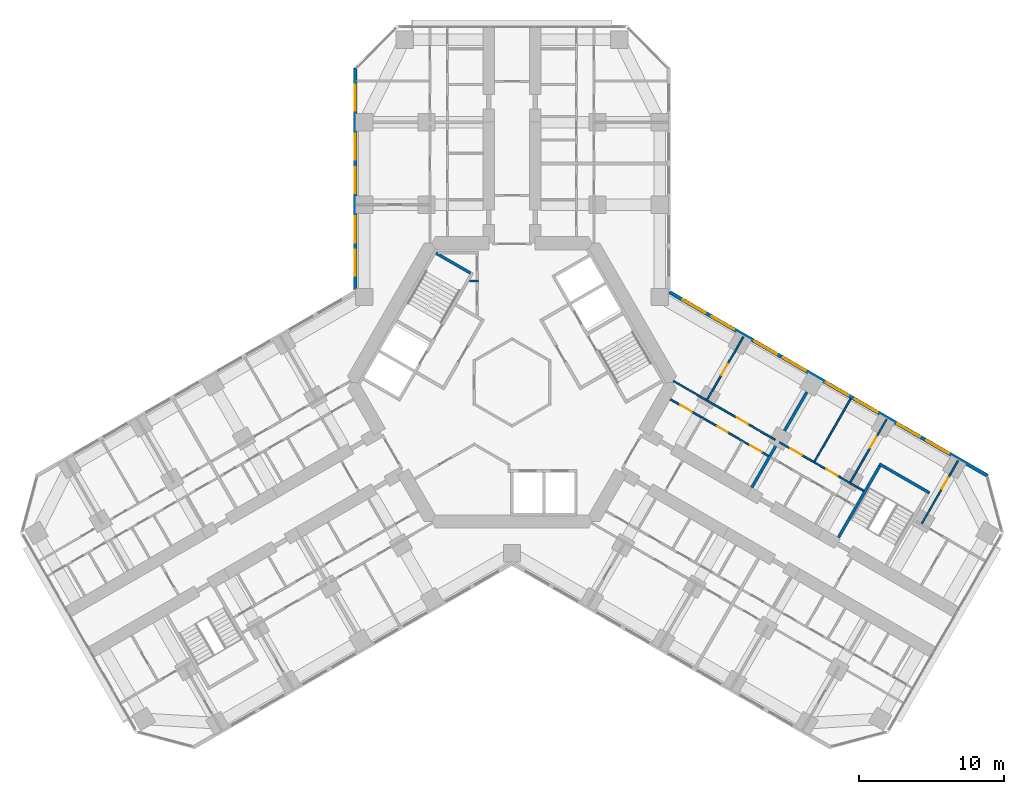
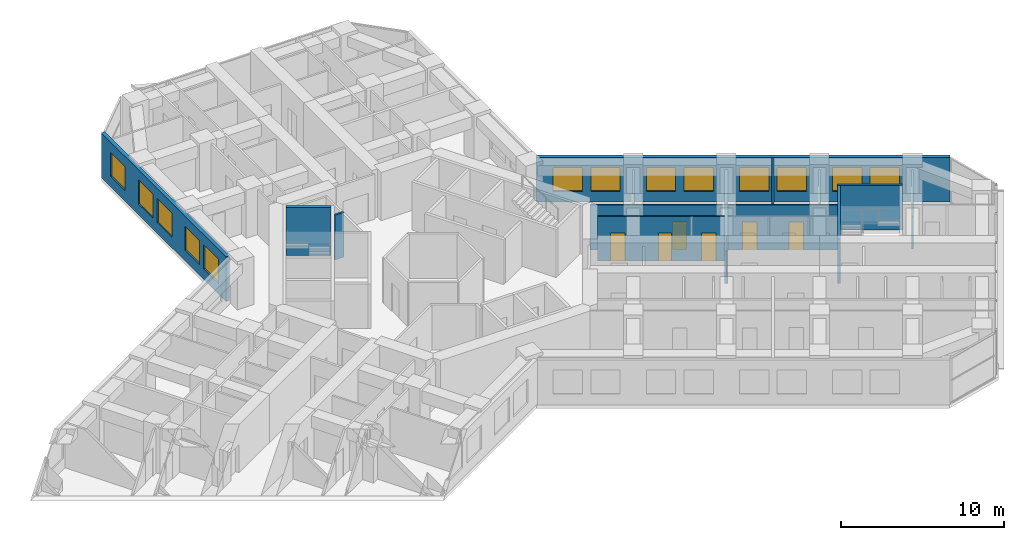
# One storey, part 16 of 20: 14 walls, 13 windows, 9 doors, 22 openings.
"""IFC4 building model written with IfcOpenShell, lengths in metres."""

from ifc_helpers import new_model, si_unit, direction, frame, frame_2d, origin, place, context, subcontext, project, spatial, rectangle, extrude, material, layer, layer_set, type_object, element, fill, save


model = new_model("IFC4")

# Units and contexts
model_context = context("Model", 3, precision=1e-05, world=origin(), true_north=direction((0.0, 1.0)))
body_context = subcontext(model_context, "Body", "Model", "MODEL_VIEW")
ifc_project = project(units=[si_unit("LENGTHUNIT", "METRE"), si_unit("AREAUNIT", "SQUARE_METRE"), si_unit("VOLUMEUNIT", "CUBIC_METRE"), si_unit("PLANEANGLEUNIT", "RADIAN"), si_unit("MASSUNIT", "GRAM", prefix="KILO")], contexts=[model_context])

# Site, building, storey
site_placement = place(None, origin())
site = spatial("IfcSite", under=ifc_project, at=site_placement, CompositionType="ELEMENT")
building_placement = place(site_placement, origin())
building = spatial("IfcBuilding", under=site, at=building_placement, Name="Kosmar Iwan School Tower", CompositionType="ELEMENT")
storey_placement = place(building_placement, frame((0.0, 0.0, 123.800048828125)))
storey = spatial("IfcBuildingStorey", under=building, at=storey_placement, Name="L30", CompositionType="ELEMENT", Elevation=123.800048828125)

# Wall
ifc_material_1 = material(Name="Gypsum board on steel studs, fire-rated", Category="steel")
ifc_layer_1 = layer(ifc_material_1, 0.14990234375)
ifc_layer_set_1 = layer_set([ifc_layer_1], Name="Core room partition 150")
wall_type_1 = type_object("IfcWallType", Name="Core room partition 150", PredefinedType="PARTITIONING", material=ifc_layer_set_1)
wall_1_placement = place(storey_placement, frame((-2.324951171875, 6.985107421875, 0.0), z_axis=(0.0, 0.0, 1.0), x_axis=(-1.0, 0.0, 0.0)))
element("IfcWall", 1, at=wall_1_placement, inside=storey, type_object=wall_type_1, Name="Core room partition L30-CW2", PredefinedType="PARTITIONING", context=body_context, shape_type="SweptSolid", body=[
    extrude(rectangle(XDim=0.623779296875, YDim=0.14990234375, at=frame_2d((0.31201171875, 0.0))), origin(), (0.0, 0.0, 1.0), 3.349853515625),
])

# Wall, openings, doors
ifc_material_2 = material(Name="Gypsum board on steel studs", Category="steel")
ifc_layer_2 = layer(ifc_material_2, 0.1201171875)
ifc_layer_set_2 = layer_set([ifc_layer_2], Name="Dwelling partition 120")
wall_type_2 = type_object("IfcWallType", Name="Dwelling partition 120", PredefinedType="PARTITIONING", material=ifc_layer_set_2)
wall_2_placement = place(storey_placement, frame((10.928466796875, -1.171142578125, 0.0), z_axis=(0.0, 0.0, 1.0), x_axis=(0.866021400173, -0.500006934395, 0.0)))
wall_2 = element("IfcWall", 2, at=wall_2_placement, inside=storey, type_object=wall_type_2, Name="Partition L30-CL1-W1", PredefinedType="PARTITIONING", context=body_context, shape_type="SweptSolid", body=[
    extrude(rectangle(XDim=7.80029296875, YDim=0.1201171875, at=frame_2d((3.900146484375, 0.0))), origin(), (0.0, 0.0, 1.0), 3.349853515625),
])
opening_1_placement = place(wall_2_placement, frame((0.800048828125, 0.0, 0.0)))
opening_1 = element("IfcOpeningElement", 3, at=opening_1_placement, cuts=wall_2, Name="Opening D2", PredefinedType="OPENING", context=body_context, shape_type="SweptSolid", body=[
    extrude(rectangle(XDim=0.89990234375, YDim=2.10009765625, at=frame_2d((0.449951171875, 1.050048828125))), frame((0.0, 0.072021484375, 0.0), z_axis=(0.0, -1.0, 0.0), x_axis=(1.0, 0.0, 0.0)), (0.0, 0.0, 1.0), 0.14404296875),
])
opening_2_placement = place(wall_2_placement, frame((3.755126953125, 0.0, 0.0)))
opening_2 = element("IfcOpeningElement", 4, at=opening_2_placement, cuts=wall_2, Name="Opening D3", PredefinedType="OPENING", context=body_context, shape_type="SweptSolid", body=[
    extrude(rectangle(XDim=0.800048828125, YDim=2.10009765625, at=frame_2d((0.39990234375, 1.050048828125))), frame((0.0, 0.072021484375, 0.0), z_axis=(0.0, -1.0, 0.0), x_axis=(1.0, 0.0, 0.0)), (0.0, 0.0, 1.0), 0.14404296875),
])
opening_3_placement = place(wall_2_placement, frame((6.380126953125, 0.0, 0.0)))
opening_3 = element("IfcOpeningElement", 5, at=opening_3_placement, cuts=wall_2, Name="Opening D2", PredefinedType="OPENING", context=body_context, shape_type="SweptSolid", body=[
    extrude(rectangle(XDim=0.89990234375, YDim=2.10009765625, at=frame_2d((0.449951171875, 1.050048828125))), frame((0.0, 0.072021484375, 0.0), z_axis=(0.0, -1.0, 0.0), x_axis=(1.0, 0.0, 0.0)), (0.0, 0.0, 1.0), 0.14404296875),
])
ifc_material_3 = material(Name="Timber door in timber frame", Category="wood")
door_type_1 = type_object("IfcDoorType", Name="Internal door 900x2100", OperationType="SINGLE_SWING_LEFT", PredefinedType="DOOR", material=ifc_material_3)
door_1_placement = place(opening_1_placement, origin())
door_1 = element("IfcDoor", 6, at=door_1_placement, inside=storey, type_object=door_type_1, Name="Entrance hall door L30-CL1-S1", OperationType="SINGLE_SWING_LEFT", OverallHeight=2.10009765625, OverallWidth=0.89990234375, PredefinedType="DOOR", context=body_context, shape_type="SweptSolid", body=[
    extrude(rectangle(XDim=0.89990234375, YDim=2.10009765625, at=frame_2d((0.449951171875, 1.050048828125))), frame((0.0, 0.02490234375, 0.0), z_axis=(0.0, -1.0, 0.0), x_axis=(1.0, 0.0, 0.0)), (0.0, 0.0, 1.0), 0.050048828125),
])
fill(opening_1, door_1)
door_2_placement = place(opening_3_placement, origin())
door_2 = element("IfcDoor", 7, at=door_2_placement, inside=storey, type_object=door_type_1, Name="Pantry door L30-CL1-S3", OperationType="SINGLE_SWING_RIGHT", OverallHeight=2.10009765625, OverallWidth=0.89990234375, PredefinedType="DOOR", context=body_context, shape_type="SweptSolid", body=[
    extrude(rectangle(XDim=0.89990234375, YDim=2.10009765625, at=frame_2d((0.449951171875, 1.050048828125))), frame((0.0, 0.02490234375, 0.0), z_axis=(0.0, -1.0, 0.0), x_axis=(1.0, 0.0, 0.0)), (0.0, 0.0, 1.0), 0.050048828125),
])
fill(opening_3, door_2)
ifc_material_4 = material(Name="Timber door in timber frame", Category="wood")
door_type_2 = type_object("IfcDoorType", Name="Sanitary room door 800x2100", OperationType="SINGLE_SWING_LEFT", PredefinedType="DOOR", material=ifc_material_4)
door_3_placement = place(opening_2_placement, origin())
door_3 = element("IfcDoor", 8, at=door_3_placement, inside=storey, type_object=door_type_2, Name="Bathroom door L30-CL1-S2", OperationType="SINGLE_SWING_RIGHT", OverallHeight=2.10009765625, OverallWidth=0.800048828125, PredefinedType="DOOR", context=body_context, shape_type="SweptSolid", body=[
    extrude(rectangle(XDim=0.800048828125, YDim=2.10009765625, at=frame_2d((0.39990234375, 1.050048828125))), frame((0.0, 0.02490234375, 0.0), z_axis=(0.0, -1.0, 0.0), x_axis=(1.0, 0.0, 0.0)), (0.0, 0.0, 1.0), 0.050048828125),
])
fill(opening_2, door_3)

# Wall, opening, door
wall_3_placement = place(storey_placement, frame((11.138916015625, 0.093017578125, 0.0), z_axis=(0.0, 0.0, 1.0), x_axis=(0.866017937352, -0.500012932018, 0.0)))
wall_3 = element("IfcWall", 9, at=wall_3_placement, inside=storey, type_object=wall_type_2, Name="Partition L30-CL1-W2", PredefinedType="PARTITIONING", context=body_context, shape_type="SweptSolid", body=[
    extrude(rectangle(XDim=8.099853515625, YDim=0.1201171875, at=frame_2d((4.0498046875, 0.0))), origin(), (0.0, 0.0, 1.0), 3.349853515625),
])
opening_4_placement = place(wall_3_placement, frame((5.050048828125, 0.0, 0.0)))
opening_4 = element("IfcOpeningElement", 10, at=opening_4_placement, cuts=wall_3, Name="Opening D2", PredefinedType="OPENING", context=body_context, shape_type="SweptSolid", body=[
    extrude(rectangle(XDim=0.89990234375, YDim=2.10009765625, at=frame_2d((0.449951171875, 1.050048828125))), frame((0.0, 0.072021484375, 0.0), z_axis=(0.0, -1.0, 0.0), x_axis=(1.0, 0.0, 0.0)), (0.0, 0.0, 1.0), 0.14404296875),
])
door_4_placement = place(opening_4_placement, origin())
door_4 = element("IfcDoor", 11, at=door_4_placement, inside=storey, type_object=door_type_1, Name="Studio living room door L30-CL1-F2", OperationType="SINGLE_SWING_RIGHT", OverallHeight=2.10009765625, OverallWidth=0.89990234375, PredefinedType="DOOR", context=body_context, shape_type="SweptSolid", body=[
    extrude(rectangle(XDim=0.89990234375, YDim=2.10009765625, at=frame_2d((0.449951171875, 1.050048828125))), frame((0.0, 0.02490234375, 0.0), z_axis=(0.0, -1.0, 0.0), x_axis=(1.0, 0.0, 0.0)), (0.0, 0.0, 1.0), 0.050048828125),
])
fill(opening_4, door_4)

wall_4_placement = place(storey_placement, frame((13.4638671875, -1.179931640625, 0.0), z_axis=(0.0, 0.0, 1.0), x_axis=(0.499996339024, 0.86602751744, 0.0)))
wall_4 = element("IfcWall", 12, at=wall_4_placement, inside=storey, type_object=wall_type_2, Name="Partition L30-CL1-X1", PredefinedType="PARTITIONING", context=body_context, shape_type="SweptSolid", body=[
    extrude(rectangle(XDim=4.98974609375, YDim=0.1201171875, at=frame_2d((2.494873046875, 0.0))), origin(), (0.0, 0.0, 1.0), 2.449951171875),
])
opening_5_placement = place(wall_4_placement, frame((1.93994140625, 0.0, 0.0)))
opening_5 = element("IfcOpeningElement", 13, at=opening_5_placement, cuts=wall_4, Name="Opening D2", PredefinedType="OPENING", context=body_context, shape_type="SweptSolid", body=[
    extrude(rectangle(XDim=0.89990234375, YDim=2.10009765625, at=frame_2d((0.449951171875, 1.050048828125))), frame((0.0, 0.072021484375, 0.0), z_axis=(0.0, -1.0, 0.0), x_axis=(1.0, 0.0, 0.0)), (0.0, 0.0, 1.0), 0.14404296875),
])
door_5_placement = place(opening_5_placement, origin())
door_5 = element("IfcDoor", 14, at=door_5_placement, inside=storey, type_object=door_type_1, Name="Kitchen and dining room door L30-CL1-F1", OperationType="SINGLE_SWING_LEFT", OverallHeight=2.10009765625, OverallWidth=0.89990234375, PredefinedType="DOOR", context=body_context, shape_type="SweptSolid", body=[
    extrude(rectangle(XDim=0.89990234375, YDim=2.10009765625, at=frame_2d((0.449951171875, 1.050048828125))), frame((0.0, 0.02490234375, 0.0), z_axis=(0.0, -1.0, 0.0), x_axis=(1.0, 0.0, 0.0)), (0.0, 0.0, 1.0), 0.050048828125),
])
fill(opening_5, door_5)

# Wall, openings, doors
wall_5_placement = place(storey_placement, frame((18.456787109375, -4.1318359375, 0.0), z_axis=(0.0, 0.0, 1.0), x_axis=(0.866014461049, -0.500018952895, 0.0)))
wall_5 = element("IfcWall", 15, at=wall_5_placement, inside=storey, type_object=wall_type_2, Name="Partition L30-CL2-W2", PredefinedType="PARTITIONING", context=body_context, shape_type="SweptSolid", body=[
    extrude(rectangle(XDim=6.699951171875, YDim=0.1201171875, at=frame_2d((3.35009765625, 0.0))), origin(), (0.0, 0.0, 1.0), 3.349853515625),
])
opening_6_placement = place(wall_5_placement, frame((0.875, 0.0, 0.0)))
opening_6 = element("IfcOpeningElement", 16, at=opening_6_placement, cuts=wall_5, Name="Opening D2", PredefinedType="OPENING", context=body_context, shape_type="SweptSolid", body=[
    extrude(rectangle(XDim=0.89990234375, YDim=2.10009765625, at=frame_2d((0.449951171875, 1.050048828125))), frame((0.0, 0.072021484375, 0.0), z_axis=(0.0, -1.0, 0.0), x_axis=(1.0, 0.0, 0.0)), (0.0, 0.0, 1.0), 0.14404296875),
])
opening_7_placement = place(wall_5_placement, frame((3.72509765625, 0.0, 0.0)))
opening_7 = element("IfcOpeningElement", 17, at=opening_7_placement, cuts=wall_5, Name="Opening D2", PredefinedType="OPENING", context=body_context, shape_type="SweptSolid", body=[
    extrude(rectangle(XDim=0.89990234375, YDim=2.10009765625, at=frame_2d((0.449951171875, 1.050048828125))), frame((0.0, 0.072021484375, 0.0), z_axis=(0.0, -1.0, 0.0), x_axis=(1.0, 0.0, 0.0)), (0.0, 0.0, 1.0), 0.14404296875),
])
door_6_placement = place(opening_6_placement, origin())
door_6 = element("IfcDoor", 18, at=door_6_placement, inside=storey, type_object=door_type_1, Name="Family room and kitchen door L30-CL2-F1", OperationType="SINGLE_SWING_LEFT", OverallHeight=2.10009765625, OverallWidth=0.89990234375, PredefinedType="DOOR", context=body_context, shape_type="SweptSolid", body=[
    extrude(rectangle(XDim=0.89990234375, YDim=2.10009765625, at=frame_2d((0.449951171875, 1.050048828125))), frame((0.0, 0.02490234375, 0.0), z_axis=(0.0, -1.0, 0.0), x_axis=(1.0, 0.0, 0.0)), (0.0, 0.0, 1.0), 0.050048828125),
])
fill(opening_6, door_6)
door_7_placement = place(opening_7_placement, origin())
door_7 = element("IfcDoor", 19, at=door_7_placement, inside=storey, type_object=door_type_1, Name="Bedroom 1 door L30-CL2-F2", OperationType="SINGLE_SWING_RIGHT", OverallHeight=2.10009765625, OverallWidth=0.89990234375, PredefinedType="DOOR", context=body_context, shape_type="SweptSolid", body=[
    extrude(rectangle(XDim=0.89990234375, YDim=2.10009765625, at=frame_2d((0.449951171875, 1.050048828125))), frame((0.0, 0.02490234375, 0.0), z_axis=(0.0, -1.0, 0.0), x_axis=(1.0, 0.0, 0.0)), (0.0, 0.0, 1.0), 0.050048828125),
])
fill(opening_7, door_7)

# Wall
wall_6_placement = place(storey_placement, frame((20.868408203125, -5.455078125, 0.0), z_axis=(0.0, 0.0, 1.0), x_axis=(0.499975153383, 0.86603974851, 0.0)))
element("IfcWall", 20, at=wall_6_placement, inside=storey, type_object=wall_type_2, Name="Partition L30-CL2-X1", PredefinedType="PARTITIONING", context=body_context, shape_type="SweptSolid", body=[
    extrude(rectangle(XDim=4.989990234375, YDim=0.1201171875, at=frame_2d((2.4951171875, 0.0))), origin(), (0.0, 0.0, 1.0), 3.349853515625),
])

# Wall, opening, door
wall_7_placement = place(storey_placement, frame((23.33642578125, -6.8798828125, 0.0), z_axis=(0.0, 0.0, 1.0), x_axis=(0.500033033937, 0.866006330792, 0.0)))
wall_7 = element("IfcWall", 21, at=wall_7_placement, inside=storey, type_object=wall_type_2, Name="Partition L30-CL2-TB", PredefinedType="PARTITIONING", context=body_context, shape_type="SweptSolid", body=[
    extrude(rectangle(XDim=4.989990234375, YDim=0.1201171875, at=frame_2d((2.4951171875, 0.0))), origin(), (0.0, 0.0, 1.0), 2.449951171875),
])
opening_8_placement = place(wall_7_placement, frame((2.739990234375, 0.0, 0.0)))
opening_8 = element("IfcOpeningElement", 22, at=opening_8_placement, cuts=wall_7, Name="Opening D2", PredefinedType="OPENING", context=body_context, shape_type="SweptSolid", body=[
    extrude(rectangle(XDim=0.89990234375, YDim=2.10009765625, at=frame_2d((0.449951171875, 1.050048828125))), frame((0.0, 0.072021484375, 0.0), z_axis=(0.0, -1.0, 0.0), x_axis=(1.0, 0.0, 0.0)), (0.0, 0.0, 1.0), 0.14404296875),
])
door_8_placement = place(opening_8_placement, origin())
door_8 = element("IfcDoor", 23, at=door_8_placement, inside=storey, type_object=door_type_1, Name="Study door L30-CL2-F2", OperationType="SINGLE_SWING_RIGHT", OverallHeight=2.10009765625, OverallWidth=0.89990234375, PredefinedType="DOOR", context=body_context, shape_type="SweptSolid", body=[
    extrude(rectangle(XDim=0.89990234375, YDim=2.10009765625, at=frame_2d((0.449951171875, 1.050048828125))), frame((0.0, 0.02490234375, 0.0), z_axis=(0.0, -1.0, 0.0), x_axis=(1.0, 0.0, 0.0)), (0.0, 0.0, 1.0), 0.050048828125),
])
fill(opening_8, door_8)

wall_8_placement = place(storey_placement, frame((28.27294921875, -9.72998046875, 0.0), z_axis=(0.0, 0.0, 1.0), x_axis=(0.499975153383, 0.86603974851, 0.0)))
wall_8 = element("IfcWall", 24, at=wall_8_placement, inside=storey, type_object=wall_type_2, Name="Partition L30-CL2-TX", PredefinedType="PARTITIONING", context=body_context, shape_type="SweptSolid", body=[
    extrude(rectangle(XDim=4.989990234375, YDim=0.1201171875, at=frame_2d((2.4951171875, 0.0))), origin(), (0.0, 0.0, 1.0), 2.449951171875),
])
opening_9_placement = place(wall_8_placement, frame((2.739990234375, 0.0, 0.0)))
opening_9 = element("IfcOpeningElement", 25, at=opening_9_placement, cuts=wall_8, Name="Opening D2", PredefinedType="OPENING", context=body_context, shape_type="SweptSolid", body=[
    extrude(rectangle(XDim=0.89990234375, YDim=2.10009765625, at=frame_2d((0.449951171875, 1.050048828125))), frame((0.0, 0.072021484375, 0.0), z_axis=(0.0, -1.0, 0.0), x_axis=(1.0, 0.0, 0.0)), (0.0, 0.0, 1.0), 0.14404296875),
])
door_9_placement = place(opening_9_placement, origin())
door_9 = element("IfcDoor", 26, at=door_9_placement, inside=storey, type_object=door_type_1, Name="Study door L30-CL2-T1", OperationType="SINGLE_SWING_RIGHT", OverallHeight=2.10009765625, OverallWidth=0.89990234375, PredefinedType="DOOR", context=body_context, shape_type="SweptSolid", body=[
    extrude(rectangle(XDim=0.89990234375, YDim=2.10009765625, at=frame_2d((0.449951171875, 1.050048828125))), frame((0.0, 0.02490234375, 0.0), z_axis=(0.0, -1.0, 0.0), x_axis=(1.0, 0.0, 0.0)), (0.0, 0.0, 1.0), 0.050048828125),
])
fill(opening_9, door_9)

# Walls
ifc_material_5 = material(Name="Concrete C35/45", Category="concrete")
ifc_layer_3 = layer(ifc_material_5, 0.199951171875)
ifc_layer_set_3 = layer_set([ifc_layer_3], Name="Escape stair wall 200")
wall_type_3 = type_object("IfcWallType", Name="Escape stair wall 200", PredefinedType="SHEAR", material=ifc_layer_set_3)
wall_9_placement = place(storey_placement, frame((22.520751953125, -10.69287109375, 0.0), z_axis=(0.0, 0.0, 1.0), x_axis=(0.500006628179, 0.86602157697, 0.0)))
element("IfcWall", 27, at=wall_9_placement, inside=storey, type_object=wall_type_3, Name="Stair WS3 wall", PredefinedType="SHEAR", context=body_context, shape_type="SweptSolid", body=[
    extrude(rectangle(XDim=5.89990234375, YDim=0.199951171875, at=frame_2d((2.949951171875, 0.0))), origin(), (0.0, 0.0, 1.0), 3.329833984375),
])
wall_10_placement = place(storey_placement, frame((25.334228515625, -5.6201171875, 0.0), z_axis=(0.0, 0.0, 1.0), x_axis=(0.866026010844, -0.49999894854, 0.0)))
element("IfcWall", 28, at=wall_10_placement, inside=storey, type_object=wall_type_3, Name="Stair WS3 wall", PredefinedType="SHEAR", context=body_context, shape_type="SweptSolid", body=[
    extrude(rectangle(XDim=4.0, YDim=0.199951171875, at=frame_2d((2.0, 0.0))), origin(), (0.0, 0.0, 1.0), 3.329833984375),
])

# Wall, openings, windows
ifc_material_6 = material(Name="Black aluminium rainscreen on insulated framing", Category="aluminium")
ifc_layer_4 = layer(ifc_material_6, 0.25)
ifc_layer_set_4 = layer_set([ifc_layer_4], Name="External wall rainscreen 250")
wall_type_4 = type_object("IfcWallType", Name="External wall rainscreen 250", PredefinedType="SOLIDWALL", material=ifc_layer_set_4)
wall_11_placement = place(storey_placement, frame((10.862548828125, 6.228271484375, 0.0), z_axis=(0.0, 0.0, 1.0), x_axis=(0.866024996846, -0.500000704837, 0.0)))
wall_11 = element("IfcWall", 29, at=wall_11_placement, inside=storey, type_object=wall_type_4, Name="External wall CL L30", PredefinedType="SOLIDWALL", context=body_context, shape_type="SweptSolid", body=[
    extrude(rectangle(XDim=25.34228515625, YDim=0.25, at=frame_2d((12.671142578125, 0.0))), origin(), (0.0, 0.0, 1.0), 3.349853515625),
])
opening_10_placement = place(wall_11_placement, frame((1.056884765625, 0.0, 0.800048828125)))
opening_10 = element("IfcOpeningElement", 30, at=opening_10_placement, cuts=wall_11, Name="Opening W1", PredefinedType="OPENING", context=body_context, shape_type="SweptSolid", body=[
    extrude(rectangle(XDim=1.800048828125, YDim=1.800048828125, at=frame_2d((0.89990234375, 0.89990234375))), frame((0.0, 0.136962890625, 0.0), z_axis=(0.0, -1.0, 0.0), x_axis=(1.0, 0.0, 0.0)), (0.0, 0.0, 1.0), 0.27392578125),
])
opening_11_placement = place(wall_11_placement, frame((3.35693359375, 0.0, 0.800048828125)))
opening_11 = element("IfcOpeningElement", 31, at=opening_11_placement, cuts=wall_11, Name="Opening W1", PredefinedType="OPENING", context=body_context, shape_type="SweptSolid", body=[
    extrude(rectangle(XDim=1.800048828125, YDim=1.800048828125, at=frame_2d((0.89990234375, 0.89990234375))), frame((0.0, 0.136962890625, 0.0), z_axis=(0.0, -1.0, 0.0), x_axis=(1.0, 0.0, 0.0)), (0.0, 0.0, 1.0), 0.27392578125),
])
opening_12_placement = place(wall_11_placement, frame((6.7568359375, 0.0, 0.800048828125)))
opening_12 = element("IfcOpeningElement", 32, at=opening_12_placement, cuts=wall_11, Name="Opening W1", PredefinedType="OPENING", context=body_context, shape_type="SweptSolid", body=[
    extrude(rectangle(XDim=1.800048828125, YDim=1.800048828125, at=frame_2d((0.89990234375, 0.89990234375))), frame((0.0, 0.136962890625, 0.0), z_axis=(0.0, -1.0, 0.0), x_axis=(1.0, 0.0, 0.0)), (0.0, 0.0, 1.0), 0.27392578125),
])
opening_13_placement = place(wall_11_placement, frame((9.056884765625, 0.0, 0.800048828125)))
opening_13 = element("IfcOpeningElement", 33, at=opening_13_placement, cuts=wall_11, Name="Opening W1", PredefinedType="OPENING", context=body_context, shape_type="SweptSolid", body=[
    extrude(rectangle(XDim=1.800048828125, YDim=1.800048828125, at=frame_2d((0.89990234375, 0.89990234375))), frame((0.0, 0.136962890625, 0.0), z_axis=(0.0, -1.0, 0.0), x_axis=(1.0, 0.0, 0.0)), (0.0, 0.0, 1.0), 0.27392578125),
])
opening_14_placement = place(wall_11_placement, frame((12.456787109375, 0.0, 0.800048828125)))
opening_14 = element("IfcOpeningElement", 34, at=opening_14_placement, cuts=wall_11, Name="Opening W1", PredefinedType="OPENING", context=body_context, shape_type="SweptSolid", body=[
    extrude(rectangle(XDim=1.800048828125, YDim=1.800048828125, at=frame_2d((0.89990234375, 0.89990234375))), frame((0.0, 0.136962890625, 0.0), z_axis=(0.0, -1.0, 0.0), x_axis=(1.0, 0.0, 0.0)), (0.0, 0.0, 1.0), 0.27392578125),
])
opening_15_placement = place(wall_11_placement, frame((14.7568359375, 0.0, 0.800048828125)))
opening_15 = element("IfcOpeningElement", 35, at=opening_15_placement, cuts=wall_11, Name="Opening W1", PredefinedType="OPENING", context=body_context, shape_type="SweptSolid", body=[
    extrude(rectangle(XDim=1.800048828125, YDim=1.800048828125, at=frame_2d((0.89990234375, 0.89990234375))), frame((0.0, 0.136962890625, 0.0), z_axis=(0.0, -1.0, 0.0), x_axis=(1.0, 0.0, 0.0)), (0.0, 0.0, 1.0), 0.27392578125),
])
opening_16_placement = place(wall_11_placement, frame((18.156982421875, 0.0, 0.800048828125)))
opening_16 = element("IfcOpeningElement", 36, at=opening_16_placement, cuts=wall_11, Name="Opening W1", PredefinedType="OPENING", context=body_context, shape_type="SweptSolid", body=[
    extrude(rectangle(XDim=1.800048828125, YDim=1.800048828125, at=frame_2d((0.89990234375, 0.89990234375))), frame((0.0, 0.136962890625, 0.0), z_axis=(0.0, -1.0, 0.0), x_axis=(1.0, 0.0, 0.0)), (0.0, 0.0, 1.0), 0.27392578125),
])
opening_17_placement = place(wall_11_placement, frame((20.456787109375, 0.0, 0.800048828125)))
opening_17 = element("IfcOpeningElement", 37, at=opening_17_placement, cuts=wall_11, Name="Opening W1", PredefinedType="OPENING", context=body_context, shape_type="SweptSolid", body=[
    extrude(rectangle(XDim=1.800048828125, YDim=1.800048828125, at=frame_2d((0.89990234375, 0.89990234375))), frame((0.0, 0.136962890625, 0.0), z_axis=(0.0, -1.0, 0.0), x_axis=(1.0, 0.0, 0.0)), (0.0, 0.0, 1.0), 0.27392578125),
])
ifc_material_7 = material(Name="Black aluminium frame with dark triple glazing", Category="aluminium")
window_type = type_object("IfcWindowType", Name="Window 1800x1800", PartitioningType="SINGLE_PANEL", PredefinedType="WINDOW", material=ifc_material_7)
window_1_placement = place(opening_10_placement, origin())
window_1 = element("IfcWindow", 38, at=window_1_placement, inside=storey, type_object=window_type, Name="Window CL L30 -1", OverallHeight=1.800048828125, OverallWidth=1.800048828125, PartitioningType="SINGLE_PANEL", PredefinedType="WINDOW", context=body_context, shape_type="SweptSolid", body=[
    extrude(rectangle(XDim=1.800048828125, YDim=1.800048828125, at=frame_2d((0.89990234375, 0.89990234375))), frame((0.0, 0.030029296875, 0.0), z_axis=(0.0, -1.0, 0.0), x_axis=(1.0, 0.0, 0.0)), (0.0, 0.0, 1.0), 0.06005859375),
])
fill(opening_10, window_1)
window_2_placement = place(opening_11_placement, origin())
window_2 = element("IfcWindow", 39, at=window_2_placement, inside=storey, type_object=window_type, Name="Window CL L30 0", OverallHeight=1.800048828125, OverallWidth=1.800048828125, PartitioningType="SINGLE_PANEL", PredefinedType="WINDOW", context=body_context, shape_type="SweptSolid", body=[
    extrude(rectangle(XDim=1.800048828125, YDim=1.800048828125, at=frame_2d((0.89990234375, 0.89990234375))), frame((0.0, 0.030029296875, 0.0), z_axis=(0.0, -1.0, 0.0), x_axis=(1.0, 0.0, 0.0)), (0.0, 0.0, 1.0), 0.06005859375),
])
fill(opening_11, window_2)
window_3_placement = place(opening_12_placement, origin())
window_3 = element("IfcWindow", 40, at=window_3_placement, inside=storey, type_object=window_type, Name="Window CL L30 1", OverallHeight=1.800048828125, OverallWidth=1.800048828125, PartitioningType="SINGLE_PANEL", PredefinedType="WINDOW", context=body_context, shape_type="SweptSolid", body=[
    extrude(rectangle(XDim=1.800048828125, YDim=1.800048828125, at=frame_2d((0.89990234375, 0.89990234375))), frame((0.0, 0.030029296875, 0.0), z_axis=(0.0, -1.0, 0.0), x_axis=(1.0, 0.0, 0.0)), (0.0, 0.0, 1.0), 0.06005859375),
])
fill(opening_12, window_3)
window_4_placement = place(opening_13_placement, origin())
window_4 = element("IfcWindow", 41, at=window_4_placement, inside=storey, type_object=window_type, Name="Window CL L30 2", OverallHeight=1.800048828125, OverallWidth=1.800048828125, PartitioningType="SINGLE_PANEL", PredefinedType="WINDOW", context=body_context, shape_type="SweptSolid", body=[
    extrude(rectangle(XDim=1.800048828125, YDim=1.800048828125, at=frame_2d((0.89990234375, 0.89990234375))), frame((0.0, 0.030029296875, 0.0), z_axis=(0.0, -1.0, 0.0), x_axis=(1.0, 0.0, 0.0)), (0.0, 0.0, 1.0), 0.06005859375),
])
fill(opening_13, window_4)
window_5_placement = place(opening_14_placement, origin())
window_5 = element("IfcWindow", 42, at=window_5_placement, inside=storey, type_object=window_type, Name="Window CL L30 3", OverallHeight=1.800048828125, OverallWidth=1.800048828125, PartitioningType="SINGLE_PANEL", PredefinedType="WINDOW", context=body_context, shape_type="SweptSolid", body=[
    extrude(rectangle(XDim=1.800048828125, YDim=1.800048828125, at=frame_2d((0.89990234375, 0.89990234375))), frame((0.0, 0.030029296875, 0.0), z_axis=(0.0, -1.0, 0.0), x_axis=(1.0, 0.0, 0.0)), (0.0, 0.0, 1.0), 0.06005859375),
])
fill(opening_14, window_5)
window_6_placement = place(opening_15_placement, origin())
window_6 = element("IfcWindow", 43, at=window_6_placement, inside=storey, type_object=window_type, Name="Window CL L30 4", OverallHeight=1.800048828125, OverallWidth=1.800048828125, PartitioningType="SINGLE_PANEL", PredefinedType="WINDOW", context=body_context, shape_type="SweptSolid", body=[
    extrude(rectangle(XDim=1.800048828125, YDim=1.800048828125, at=frame_2d((0.89990234375, 0.89990234375))), frame((0.0, 0.030029296875, 0.0), z_axis=(0.0, -1.0, 0.0), x_axis=(1.0, 0.0, 0.0)), (0.0, 0.0, 1.0), 0.06005859375),
])
fill(opening_15, window_6)
window_7_placement = place(opening_16_placement, origin())
window_7 = element("IfcWindow", 44, at=window_7_placement, inside=storey, type_object=window_type, Name="Window CL L30 5", OverallHeight=1.800048828125, OverallWidth=1.800048828125, PartitioningType="SINGLE_PANEL", PredefinedType="WINDOW", context=body_context, shape_type="SweptSolid", body=[
    extrude(rectangle(XDim=1.800048828125, YDim=1.800048828125, at=frame_2d((0.89990234375, 0.89990234375))), frame((0.0, 0.030029296875, 0.0), z_axis=(0.0, -1.0, 0.0), x_axis=(1.0, 0.0, 0.0)), (0.0, 0.0, 1.0), 0.06005859375),
])
fill(opening_16, window_7)
window_8_placement = place(opening_17_placement, origin())
window_8 = element("IfcWindow", 45, at=window_8_placement, inside=storey, type_object=window_type, Name="Window CL L30 6", OverallHeight=1.800048828125, OverallWidth=1.800048828125, PartitioningType="SINGLE_PANEL", PredefinedType="WINDOW", context=body_context, shape_type="SweptSolid", body=[
    extrude(rectangle(XDim=1.800048828125, YDim=1.800048828125, at=frame_2d((0.89990234375, 0.89990234375))), frame((0.0, 0.030029296875, 0.0), z_axis=(0.0, -1.0, 0.0), x_axis=(1.0, 0.0, 0.0)), (0.0, 0.0, 1.0), 0.06005859375),
])
fill(opening_17, window_8)

wall_12_placement = place(storey_placement, frame((-10.824951171875, 6.408935546875, 0.0), z_axis=(0.0, 0.0, 1.0), x_axis=(0.0, 1.0, 0.0)))
wall_12 = element("IfcWall", 46, at=wall_12_placement, inside=storey, type_object=wall_type_4, Name="External wall AL L30", PredefinedType="SOLIDWALL", context=body_context, shape_type="SweptSolid", body=[
    extrude(rectangle(XDim=15.2763671875, YDim=0.25, at=frame_2d((7.63818359375, 0.0))), origin(), (0.0, 0.0, 1.0), 3.349853515625),
])
opening_18_placement = place(wall_12_placement, frame((0.94091796875, 0.0, 0.800048828125)))
opening_18 = element("IfcOpeningElement", 47, at=opening_18_placement, cuts=wall_12, Name="Opening W1", PredefinedType="OPENING", context=body_context, shape_type="SweptSolid", body=[
    extrude(rectangle(XDim=1.800048828125, YDim=1.800048828125, at=frame_2d((0.89990234375, 0.89990234375))), frame((0.0, 0.136962890625, 0.0), z_axis=(0.0, -1.0, 0.0), x_axis=(1.0, 0.0, 0.0)), (0.0, 0.0, 1.0), 0.27392578125),
])
opening_19_placement = place(wall_12_placement, frame((3.240966796875, 0.0, 0.800048828125)))
opening_19 = element("IfcOpeningElement", 48, at=opening_19_placement, cuts=wall_12, Name="Opening W1", PredefinedType="OPENING", context=body_context, shape_type="SweptSolid", body=[
    extrude(rectangle(XDim=1.800048828125, YDim=1.800048828125, at=frame_2d((0.89990234375, 0.89990234375))), frame((0.0, 0.136962890625, 0.0), z_axis=(0.0, -1.0, 0.0), x_axis=(1.0, 0.0, 0.0)), (0.0, 0.0, 1.0), 0.27392578125),
])
opening_20_placement = place(wall_12_placement, frame((6.64111328125, 0.0, 0.800048828125)))
opening_20 = element("IfcOpeningElement", 49, at=opening_20_placement, cuts=wall_12, Name="Opening W1", PredefinedType="OPENING", context=body_context, shape_type="SweptSolid", body=[
    extrude(rectangle(XDim=1.800048828125, YDim=1.800048828125, at=frame_2d((0.89990234375, 0.89990234375))), frame((0.0, 0.136962890625, 0.0), z_axis=(0.0, -1.0, 0.0), x_axis=(1.0, 0.0, 0.0)), (0.0, 0.0, 1.0), 0.27392578125),
])
opening_21_placement = place(wall_12_placement, frame((8.94091796875, 0.0, 0.800048828125)))
opening_21 = element("IfcOpeningElement", 50, at=opening_21_placement, cuts=wall_12, Name="Opening W1", PredefinedType="OPENING", context=body_context, shape_type="SweptSolid", body=[
    extrude(rectangle(XDim=1.800048828125, YDim=1.800048828125, at=frame_2d((0.89990234375, 0.89990234375))), frame((0.0, 0.136962890625, 0.0), z_axis=(0.0, -1.0, 0.0), x_axis=(1.0, 0.0, 0.0)), (0.0, 0.0, 1.0), 0.27392578125),
])
opening_22_placement = place(wall_12_placement, frame((12.341064453125, 0.0, 0.800048828125)))
opening_22 = element("IfcOpeningElement", 51, at=opening_22_placement, cuts=wall_12, Name="Opening W1", PredefinedType="OPENING", context=body_context, shape_type="SweptSolid", body=[
    extrude(rectangle(XDim=1.800048828125, YDim=1.800048828125, at=frame_2d((0.89990234375, 0.89990234375))), frame((0.0, 0.136962890625, 0.0), z_axis=(0.0, -1.0, 0.0), x_axis=(1.0, 0.0, 0.0)), (0.0, 0.0, 1.0), 0.27392578125),
])
window_9_placement = place(opening_18_placement, origin())
window_9 = element("IfcWindow", 52, at=window_9_placement, inside=storey, type_object=window_type, Name="Window AL L30 -1", OverallHeight=1.800048828125, OverallWidth=1.800048828125, PartitioningType="SINGLE_PANEL", PredefinedType="WINDOW", context=body_context, shape_type="SweptSolid", body=[
    extrude(rectangle(XDim=1.800048828125, YDim=1.800048828125, at=frame_2d((0.89990234375, 0.89990234375))), frame((0.0, 0.030029296875, 0.0), z_axis=(0.0, -1.0, 0.0), x_axis=(1.0, 0.0, 0.0)), (0.0, 0.0, 1.0), 0.06005859375),
])
fill(opening_18, window_9)
window_10_placement = place(opening_19_placement, origin())
window_10 = element("IfcWindow", 53, at=window_10_placement, inside=storey, type_object=window_type, Name="Window AL L30 0", OverallHeight=1.800048828125, OverallWidth=1.800048828125, PartitioningType="SINGLE_PANEL", PredefinedType="WINDOW", context=body_context, shape_type="SweptSolid", body=[
    extrude(rectangle(XDim=1.800048828125, YDim=1.800048828125, at=frame_2d((0.89990234375, 0.89990234375))), frame((0.0, 0.030029296875, 0.0), z_axis=(0.0, -1.0, 0.0), x_axis=(1.0, 0.0, 0.0)), (0.0, 0.0, 1.0), 0.06005859375),
])
fill(opening_19, window_10)
window_11_placement = place(opening_20_placement, origin())
window_11 = element("IfcWindow", 54, at=window_11_placement, inside=storey, type_object=window_type, Name="Window AL L30 1", OverallHeight=1.800048828125, OverallWidth=1.800048828125, PartitioningType="SINGLE_PANEL", PredefinedType="WINDOW", context=body_context, shape_type="SweptSolid", body=[
    extrude(rectangle(XDim=1.800048828125, YDim=1.800048828125, at=frame_2d((0.89990234375, 0.89990234375))), frame((0.0, 0.030029296875, 0.0), z_axis=(0.0, -1.0, 0.0), x_axis=(1.0, 0.0, 0.0)), (0.0, 0.0, 1.0), 0.06005859375),
])
fill(opening_20, window_11)
window_12_placement = place(opening_21_placement, origin())
window_12 = element("IfcWindow", 55, at=window_12_placement, inside=storey, type_object=window_type, Name="Window AL L30 2", OverallHeight=1.800048828125, OverallWidth=1.800048828125, PartitioningType="SINGLE_PANEL", PredefinedType="WINDOW", context=body_context, shape_type="SweptSolid", body=[
    extrude(rectangle(XDim=1.800048828125, YDim=1.800048828125, at=frame_2d((0.89990234375, 0.89990234375))), frame((0.0, 0.030029296875, 0.0), z_axis=(0.0, -1.0, 0.0), x_axis=(1.0, 0.0, 0.0)), (0.0, 0.0, 1.0), 0.06005859375),
])
fill(opening_21, window_12)
window_13_placement = place(opening_22_placement, origin())
window_13 = element("IfcWindow", 56, at=window_13_placement, inside=storey, type_object=window_type, Name="Window AL L30 3", OverallHeight=1.800048828125, OverallWidth=1.800048828125, PartitioningType="SINGLE_PANEL", PredefinedType="WINDOW", context=body_context, shape_type="SweptSolid", body=[
    extrude(rectangle(XDim=1.800048828125, YDim=1.800048828125, at=frame_2d((0.89990234375, 0.89990234375))), frame((0.0, 0.030029296875, 0.0), z_axis=(0.0, -1.0, 0.0), x_axis=(1.0, 0.0, 0.0)), (0.0, 0.0, 1.0), 0.06005859375),
])
fill(opening_22, window_13)

# Walls
ifc_material_8 = material(Name="Concrete block masonry", Category="masonry")
ifc_layer_5 = layer(ifc_material_8, 0.199951171875)
ifc_layer_set_5 = layer_set([ifc_layer_5], Name="Party wall 200")
wall_type_5 = type_object("IfcWallType", Name="Party wall 200", PredefinedType="PARTITIONING", material=ifc_layer_set_5)
wall_13_placement = place(storey_placement, frame((16.545166015625, -7.242919921875, 0.0), z_axis=(0.0, 0.0, 1.0), x_axis=(0.500008278454, 0.866020624164, 0.0)))
element("IfcWall", 57, at=wall_13_placement, inside=storey, type_object=wall_type_5, Name="Partition L30-CL2-PW", PredefinedType="PARTITIONING", context=body_context, shape_type="SweptSolid", body=[
    extrude(rectangle(XDim=8.699951171875, YDim=0.199951171875, at=frame_2d((4.35009765625, 0.0))), origin(), (0.0, 0.0, 1.0), 2.449951171875),
])
ifc_material_9 = material(Name="Concrete C50/60", Category="concrete")
ifc_layer_6 = layer(ifc_material_9, 0.199951171875)
ifc_layer_set_6 = layer_set([ifc_layer_6], Name="Stair enclosure wall 200")
wall_type_6 = type_object("IfcWallType", Name="Stair enclosure wall 200", PredefinedType="SHEAR", material=ifc_layer_set_6)
wall_14_placement = place(storey_placement, frame((-2.862548828125, 7.541748046875, 0.0), z_axis=(0.0, 0.0, 1.0), x_axis=(-0.866027397988, 0.499996545922, 0.0)))
element("IfcWall", 58, at=wall_14_placement, inside=storey, type_object=wall_type_6, Name="Stair ST2 wall", PredefinedType="SHEAR", context=body_context, shape_type="SweptSolid", body=[
    extrude(rectangle(XDim=2.75, YDim=0.199951171875, at=frame_2d((1.375, 0.0))), origin(), (0.0, 0.0, 1.0), 3.599853515625),
])

save(model, "model.ifc")
